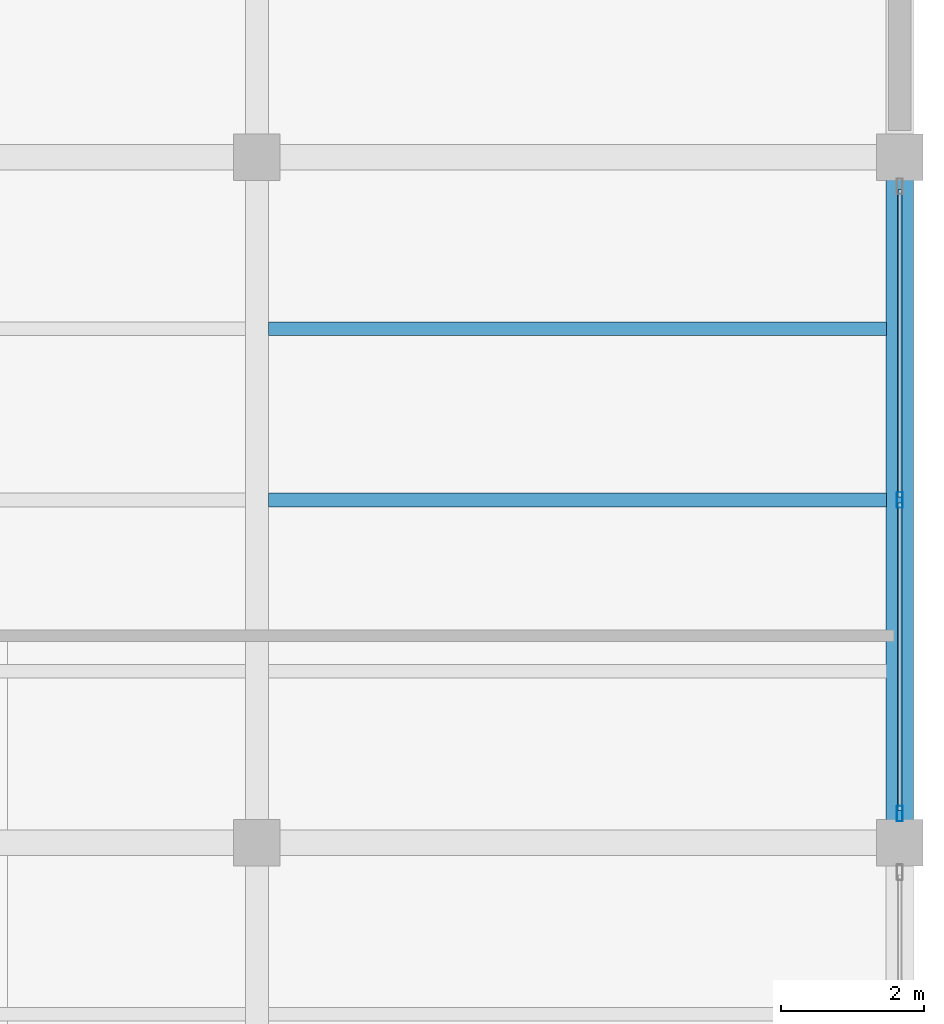
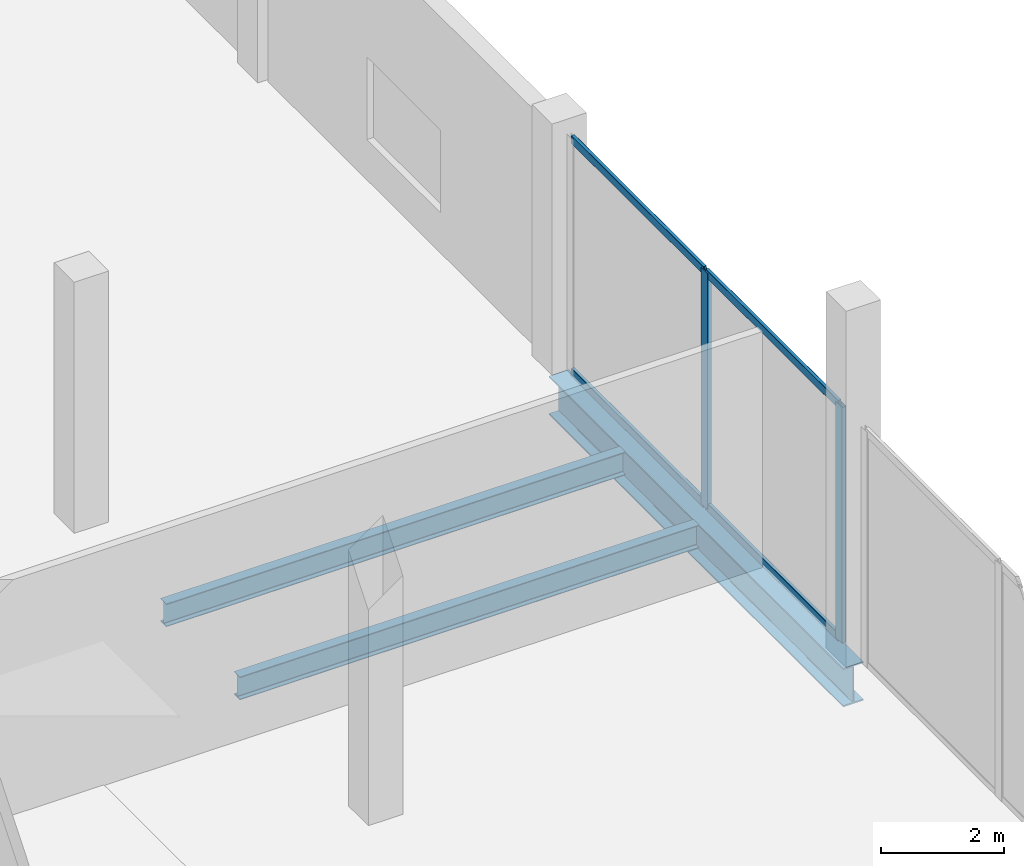
# One storey, part 22 of 43: 6 members, 3 beams, 1 element without a shape of its own.
"""IFC4 building model written with IfcOpenShell, lengths in metres."""

from ifc_helpers import new_model, si_unit, direction, frame, origin, origin_2d, place, context, subcontext, project, spatial, hollow_rectangle, i_section, extrude, material, layer, layer_set, material_profile, profile_set, type_object, element, aggregate, save


model = new_model("IFC4")

# Units and contexts
model_context = context("Model", 3, precision=1e-05, world=origin(), true_north=direction((0.0, 1.0)))
body_context = subcontext(model_context, "Body", "Model", "MODEL_VIEW")
ifc_project = project(units=[si_unit("LENGTHUNIT", "METRE"), si_unit("AREAUNIT", "SQUARE_METRE"), si_unit("VOLUMEUNIT", "CUBIC_METRE"), si_unit("PLANEANGLEUNIT", "RADIAN"), si_unit("MASSUNIT", "GRAM", prefix="KILO")], contexts=[model_context])

# Site, building, storey
site_placement = place(None, origin())
site = spatial("IfcSite", under=ifc_project, at=site_placement, CompositionType="ELEMENT")
building_placement = place(site_placement, origin())
building = spatial("IfcBuilding", under=site, at=building_placement, Name="Qorvath Tower", CompositionType="ELEMENT")
storey_placement = place(building_placement, frame((0.0, 0.0, 22.0)))
storey = spatial("IfcBuildingStorey", under=building, at=storey_placement, Name="L04", CompositionType="ELEMENT", Elevation=22.0)

# Beams
ifc_material_1 = material(Name="Steel ASTM A992 Grade 50", Category="steel")
ifc_material_profile_1 = material_profile(ifc_material_1, i_section(OverallWidth=0.381103515625, OverallDepth=0.77294921875, WebThickness=0.0166015625, FlangeThickness=0.027099609375, FilletRadius=0.01904296875, at=origin_2d()), Name="W30x173")
ifc_profile_set_1 = profile_set([ifc_material_profile_1], Name="Steel ASTM A992 Grade 50")
beam_type_1 = type_object("IfcBeamType", Name="BM-FG3", PredefinedType="BEAM", material=ifc_profile_set_1)
beam_placement = place(storey_placement, frame((77.39990234375, 9.60009765625, -0.646484375), z_axis=(0.0, 1.0, 0.0), x_axis=(-1.0, 0.0, 0.0)))
element("IfcBeam", 1, at=beam_placement, inside=storey, type_object=beam_type_1, Name="Library N-S Girder L04-6-6", PredefinedType="BEAM", context=body_context, shape_type="SweptSolid", body=[
    extrude(i_section(OverallWidth=0.381103515625, OverallDepth=0.77294921875, WebThickness=0.0166015625, FlangeThickness=0.027099609375, FilletRadius=0.01904296875, at=origin_2d()), origin(), (0.0, 0.0, 1.0), 9.599853515625),
])
ifc_material_2 = material(Name="Steel ASTM A992 Grade 50", Category="steel")
ifc_material_profile_2 = material_profile(ifc_material_2, i_section(OverallWidth=0.18994140625, OverallDepth=0.45703125, WebThickness=0.009033203125, FlangeThickness=0.014404296875, FilletRadius=0.011962890625, at=origin_2d()), Name="W18x50")
ifc_profile_set_2 = profile_set([ifc_material_profile_2], Name="Steel ASTM A992 Grade 50")
beam_type_2 = type_object("IfcBeamType", Name="BM-FJ2", PredefinedType="JOIST", material=ifc_profile_set_2)
for number, where, z_axis, x_axis, name in (
    (2, (68.560546875, 14.39990234375, -0.488525390625), (1.0, 0.0, 0.0), (0.0, 1.0, 0.0), "Library Stack Joist L04-6.2-5"),
    (3, (68.560546875, 16.800048828125, -0.488525390625), (1.0, 0.0, 0.0), (0.0, 1.0, 0.0), "Library Stack Joist L04-6.3-5"),
):
    element("IfcBeam", number, at=place(storey_placement, frame(where, z_axis=z_axis, x_axis=x_axis)), inside=storey, type_object=beam_type_2, Name=name, PredefinedType="JOIST", context=body_context, shape_type="SweptSolid", body=[
        extrude(i_section(OverallWidth=0.18994140625, OverallDepth=0.45703125, WebThickness=0.009033203125, FlangeThickness=0.014404296875, FilletRadius=0.011962890625, at=origin_2d()), origin(), (0.0, 0.0, 1.0), 8.65087890625),
    ])

# Curtain wall, members
ifc_material_3 = material(Name="Anodised aluminium and triple low-E glass", Category="aluminium")
ifc_layer = layer(ifc_material_3, 0.179931640625)
ifc_layer_set = layer_set([ifc_layer], Name="CW-SYS-6")
curtain_wall_type = type_object("IfcCurtainWallType", Name="CW-SYS-6", PredefinedType="NOTDEFINED", material=ifc_layer_set)
curtain_wall_placement = place(storey_placement, origin())
curtain_wall = element("IfcCurtainWall", 4, at=curtain_wall_placement, inside=storey, type_object=curtain_wall_type, Name="Curtain Wall CW-6 CW-LIB-E-L04-6", PredefinedType="NOTDEFINED")
ifc_material_4 = material(Name="Anodised aluminium 6063-T6", Category="aluminium")
ifc_material_profile_3 = material_profile(ifc_material_4, hollow_rectangle(XDim=0.080078125, YDim=0.219970703125, WallThickness=0.00439453125, InnerFilletRadius=0.00439453125, OuterFilletRadius=0.009033203125, at=origin_2d()), Name="CWM LIB 220x80")
ifc_profile_set_3 = profile_set([ifc_material_profile_3], Name="Anodised aluminium 6063-T6")
member_type_1 = type_object("IfcMemberType", Name="CWM-LIB", PredefinedType="MULLION", material=ifc_profile_set_3)
member_1_placement = place(storey_placement, frame((77.39990234375, 10.010009765625, 0.0), z_axis=(0.0, 0.0, 1.0), x_axis=(-1.0, 0.0, 0.0)))
member_1 = element("IfcMember", 5, at=member_1_placement, type_object=member_type_1, Name="CW-6 mullion 1", PredefinedType="MULLION", context=body_context, shape_type="SweptSolid", body=[
    extrude(hollow_rectangle(XDim=0.080078125, YDim=0.219970703125, WallThickness=0.00439453125, InnerFilletRadius=0.00439453125, OuterFilletRadius=0.009033203125, at=origin_2d()), origin(), (0.0, 0.0, 1.0), 4.699951171875),
])
member_2_placement = place(storey_placement, frame((77.39990234375, 14.400146484375, 0.0), z_axis=(0.0, 0.0, 1.0), x_axis=(-1.0, 0.0, 0.0)))
member_2 = element("IfcMember", 6, at=member_2_placement, type_object=member_type_1, Name="CW-6 mullion 2", PredefinedType="MULLION", context=body_context, shape_type="SweptSolid", body=[
    extrude(hollow_rectangle(XDim=0.080078125, YDim=0.219970703125, WallThickness=0.00439453125, InnerFilletRadius=0.00439453125, OuterFilletRadius=0.009033203125, at=origin_2d()), origin(), (0.0, 0.0, 1.0), 4.699951171875),
])
ifc_material_5 = material(Name="Anodised aluminium 6063-T6", Category="aluminium")
ifc_material_profile_4 = material_profile(ifc_material_5, hollow_rectangle(XDim=0.06494140625, YDim=0.159912109375, WallThickness=0.00341796875, InnerFilletRadius=0.00341796875, OuterFilletRadius=0.007080078125, at=origin_2d()), Name="CWT 160x65")
ifc_profile_set_4 = profile_set([ifc_material_profile_4], Name="Anodised aluminium 6063-T6")
member_type_2 = type_object("IfcMemberType", Name="CWT-160", PredefinedType="USERDEFINED", material=ifc_profile_set_4)
member_3_placement = place(storey_placement, frame((77.39990234375, 10.050048828125, 0.032470703125), z_axis=(0.0, 1.0, 0.0), x_axis=(-1.0, 0.0, 0.0)))
member_3 = element("IfcMember", 7, at=member_3_placement, type_object=member_type_2, Name="CW-6 transom 1.1", ObjectType="TRANSOM", PredefinedType="USERDEFINED", context=body_context, shape_type="SweptSolid", body=[
    extrude(hollow_rectangle(XDim=0.06494140625, YDim=0.159912109375, WallThickness=0.00341796875, InnerFilletRadius=0.00341796875, OuterFilletRadius=0.007080078125, at=origin_2d()), origin(), (0.0, 0.0, 1.0), 4.31005859375),
])
member_4_placement = place(storey_placement, frame((77.39990234375, 10.050048828125, 4.66748046875), z_axis=(0.0, 1.0, 0.0), x_axis=(-1.0, 0.0, 0.0)))
member_4 = element("IfcMember", 8, at=member_4_placement, type_object=member_type_2, Name="CW-6 transom 1.2", ObjectType="TRANSOM", PredefinedType="USERDEFINED", context=body_context, shape_type="SweptSolid", body=[
    extrude(hollow_rectangle(XDim=0.06494140625, YDim=0.159912109375, WallThickness=0.00341796875, InnerFilletRadius=0.00341796875, OuterFilletRadius=0.007080078125, at=origin_2d()), origin(), (0.0, 0.0, 1.0), 4.31005859375),
])
member_5_placement = place(storey_placement, frame((77.39990234375, 14.43994140625, 0.032470703125), z_axis=(0.0, 1.0, 0.0), x_axis=(-1.0, 0.0, 0.0)))
member_5 = element("IfcMember", 9, at=member_5_placement, type_object=member_type_2, Name="CW-6 transom 2.1", ObjectType="TRANSOM", PredefinedType="USERDEFINED", context=body_context, shape_type="SweptSolid", body=[
    extrude(hollow_rectangle(XDim=0.06494140625, YDim=0.159912109375, WallThickness=0.00341796875, InnerFilletRadius=0.00341796875, OuterFilletRadius=0.007080078125, at=origin_2d()), origin(), (0.0, 0.0, 1.0), 4.31005859375),
])
member_6_placement = place(storey_placement, frame((77.39990234375, 14.43994140625, 4.66748046875), z_axis=(0.0, 1.0, 0.0), x_axis=(-1.0, 0.0, 0.0)))
member_6 = element("IfcMember", 10, at=member_6_placement, type_object=member_type_2, Name="CW-6 transom 2.2", ObjectType="TRANSOM", PredefinedType="USERDEFINED", context=body_context, shape_type="SweptSolid", body=[
    extrude(hollow_rectangle(XDim=0.06494140625, YDim=0.159912109375, WallThickness=0.00341796875, InnerFilletRadius=0.00341796875, OuterFilletRadius=0.007080078125, at=origin_2d()), origin(), (0.0, 0.0, 1.0), 4.31005859375),
])
aggregate(curtain_wall, [member_1, member_2, member_3, member_4, member_5, member_6])

save(model, "model.ifc")
